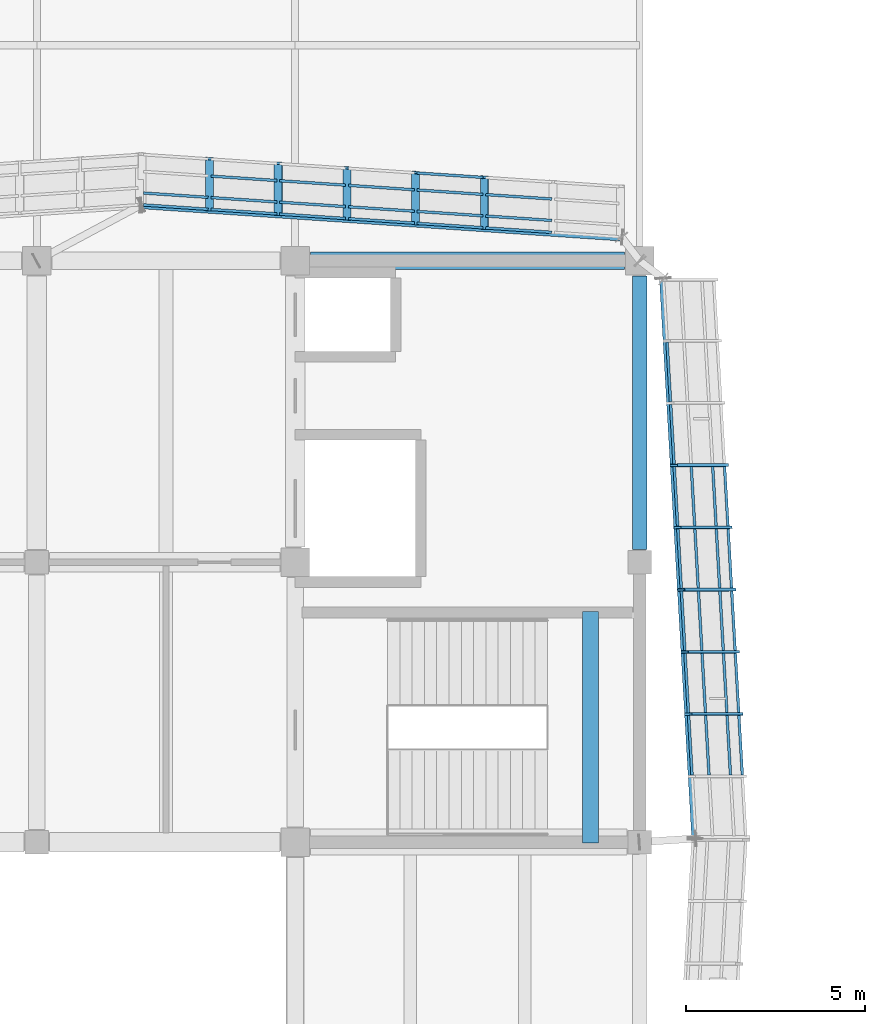
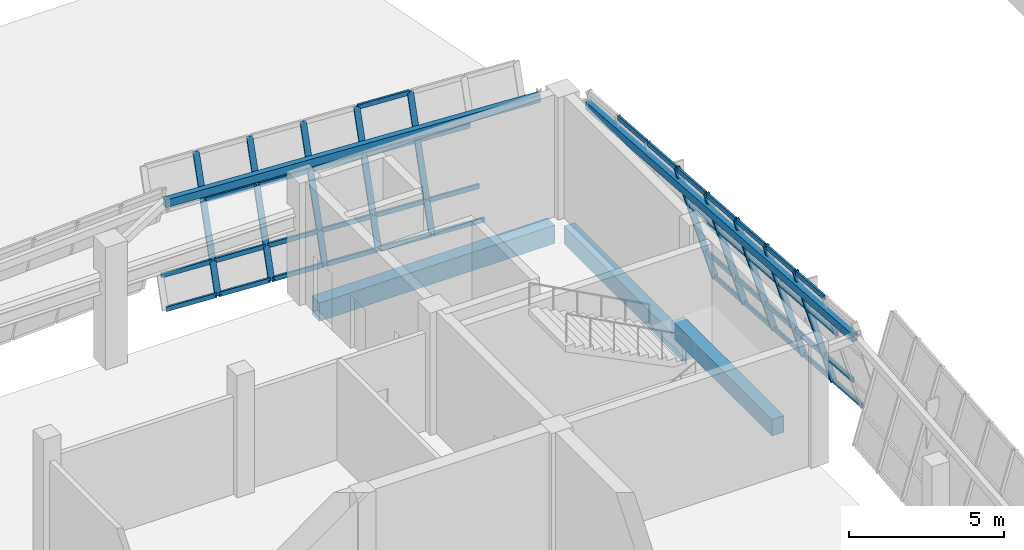
# One storey, part 30 of 79: 50 members, 5 beams, 2 elements without a shape of their own.
"""IFC4 building model written with IfcOpenShell, lengths in metres."""

from ifc_helpers import new_model, si_unit, direction, frame, origin, origin_2d, place, context, subcontext, project, spatial, rectangle, hollow_rectangle, extrude, material, material_profile, profile_set, type_object, element, aggregate, save


model = new_model("IFC4")

# Units and contexts
model_context = context("Model", 3, precision=1e-05, world=origin(), true_north=direction((0.0, 1.0)))
body_context = subcontext(model_context, "Body", "Model", "MODEL_VIEW")
ifc_project = project(units=[si_unit("LENGTHUNIT", "METRE"), si_unit("AREAUNIT", "SQUARE_METRE"), si_unit("VOLUMEUNIT", "CUBIC_METRE"), si_unit("PLANEANGLEUNIT", "RADIAN"), si_unit("MASSUNIT", "GRAM", prefix="KILO")], contexts=[model_context])

# Site, building, storey
site_placement = place(None, origin())
site = spatial("IfcSite", under=ifc_project, at=site_placement, CompositionType="ELEMENT")
building_placement = place(site_placement, origin())
building = spatial("IfcBuilding", under=site, at=building_placement, Name="Pellamere Symphony Hall", CompositionType="ELEMENT")
storey_placement = place(building_placement, frame((0.0, 0.0, 10.199951171875)))
storey = spatial("IfcBuildingStorey", under=building, at=storey_placement, Name="L02", CompositionType="ELEMENT", Elevation=10.199951171875)

# Curtain wall, members
ifc_material_1 = material(Name="Thermally Broken Anodised Aluminium 6063-T6 Curtain Wall", Category="aluminium")
curtain_wall_type = type_object("IfcCurtainWallType", Name="Curtain Wall CW-01 (Tilted Faceted Crystal Low-Iron Curtain Wall)", PredefinedType="NOTDEFINED", material=ifc_material_1)
curtain_wall_1_placement = place(storey_placement, origin())
curtain_wall_1 = element("IfcCurtainWall", 1, at=curtain_wall_1_placement, inside=storey, type_object=curtain_wall_type, Name="Crystal Faceted Curtain Wall CW-CR09 (L02)", PredefinedType="NOTDEFINED")
ifc_material_2 = material(Name="Anodised Architectural Aluminium 6063-T6", Category="aluminium")
ifc_material_profile_1 = material_profile(ifc_material_2, hollow_rectangle(XDim=0.074951171875, YDim=0.219970703125, WallThickness=0.0048828125, at=origin_2d()), Name="ALU-M75X220X5")
ifc_profile_set_1 = profile_set([ifc_material_profile_1], Name="Anodised Architectural Aluminium 6063-T6")
member_type_1 = type_object("IfcMemberType", Name="Curtain Wall Mullion ML-01 ALU-M75X220X5", PredefinedType="MULLION", material=ifc_profile_set_1)
member_1_placement = place(storey_placement, frame((121.57177734375, 80.966552734375, 0.0), z_axis=(-0.284021911736, 0.0, 0.9588177896), x_axis=(-0.055224582463, 0.998339941676, -0.016358678005)))
member_1 = element("IfcMember", 2, at=member_1_placement, type_object=member_type_1, Name="CW1-019 crystal mullion 3", PredefinedType="MULLION", context=body_context, shape_type="SweptSolid", body=[
    extrude(hollow_rectangle(XDim=0.074951171875, YDim=0.219970703125, WallThickness=0.0048828125, at=origin_2d()), origin(), (0.0, 0.0, 1.0), 5.006103515625),
])
member_2_placement = place(storey_placement, frame((121.4716796875, 82.699951171875, 0.0), z_axis=(-0.283977077304, 0.0, 0.958831069358), x_axis=(-0.055225347331, 0.998339941676, -0.016356095697)))
member_2 = element("IfcMember", 3, at=member_2_placement, type_object=member_type_1, Name="CW1-019 crystal mullion 4", PredefinedType="MULLION", context=body_context, shape_type="SweptSolid", body=[
    extrude(hollow_rectangle(XDim=0.074951171875, YDim=0.219970703125, WallThickness=0.0048828125, at=origin_2d()), origin(), (0.0, 0.0, 1.0), 5.006103515625),
])
member_3_placement = place(storey_placement, frame((121.371826171875, 84.433349609375, 0.0), z_axis=(-0.284021911736, 0.0, 0.9588177896), x_axis=(-0.055224582463, 0.998339941676, -0.016358678005)))
member_3 = element("IfcMember", 4, at=member_3_placement, type_object=member_type_1, Name="CW1-019 crystal mullion 5", PredefinedType="MULLION", context=body_context, shape_type="SweptSolid", body=[
    extrude(hollow_rectangle(XDim=0.074951171875, YDim=0.219970703125, WallThickness=0.0048828125, at=origin_2d()), origin(), (0.0, 0.0, 1.0), 5.006103515625),
])
member_4_placement = place(storey_placement, frame((121.271728515625, 86.166748046875, 0.0), z_axis=(-0.283977077304, 0.0, 0.958831069358), x_axis=(-0.055225347331, 0.998339941676, -0.016356095697)))
member_4 = element("IfcMember", 5, at=member_4_placement, type_object=member_type_1, Name="CW1-019 crystal mullion 6", PredefinedType="MULLION", context=body_context, shape_type="SweptSolid", body=[
    extrude(hollow_rectangle(XDim=0.074951171875, YDim=0.219970703125, WallThickness=0.0048828125, at=origin_2d()), origin(), (0.0, 0.0, 1.0), 5.006103515625),
])
member_5_placement = place(storey_placement, frame((121.171875, 87.89990234375, 0.0), z_axis=(-0.284021911736, 0.0, 0.9588177896), x_axis=(-0.055224582463, 0.998339941676, -0.016358678005)))
member_5 = element("IfcMember", 6, at=member_5_placement, type_object=member_type_1, Name="CW1-019 crystal mullion 7", PredefinedType="MULLION", context=body_context, shape_type="SweptSolid", body=[
    extrude(hollow_rectangle(XDim=0.074951171875, YDim=0.219970703125, WallThickness=0.0048828125, at=origin_2d()), origin(), (0.0, 0.0, 1.0), 5.006103515625),
])

curtain_wall_2_placement = place(storey_placement, origin())
curtain_wall_2 = element("IfcCurtainWall", 7, at=curtain_wall_2_placement, inside=storey, type_object=curtain_wall_type, Name="Crystal Faceted Curtain Wall CW-CR10 (L02)", PredefinedType="NOTDEFINED")
member_6_placement = place(storey_placement, frame((114.471435546875, 94.507080078125, 0.0), z_axis=(0.0, 0.284021911736, 0.9588177896), x_axis=(0.067013200006, 0.956662452506, -0.283383455745)))
member_6 = element("IfcMember", 8, at=member_6_placement, type_object=member_type_1, Name="CW1-022 crystal mullion 3", PredefinedType="MULLION", context=body_context, shape_type="SweptSolid", body=[
    extrude(hollow_rectangle(XDim=0.074951171875, YDim=0.219970703125, WallThickness=0.0048828125, at=origin_2d()), origin(), (0.0, 0.0, 1.0), 5.006103515625),
])
member_7_placement = place(storey_placement, frame((112.55712890625, 94.6357421875, 0.0), z_axis=(0.0, 0.284021911736, 0.9588177896), x_axis=(0.067013200006, 0.956662452506, -0.283383455745)))
member_7 = element("IfcMember", 9, at=member_7_placement, type_object=member_type_1, Name="CW1-022 crystal mullion 4", PredefinedType="MULLION", context=body_context, shape_type="SweptSolid", body=[
    extrude(hollow_rectangle(XDim=0.074951171875, YDim=0.219970703125, WallThickness=0.0048828125, at=origin_2d()), origin(), (0.0, 0.0, 1.0), 5.006103515625),
])
member_8_placement = place(storey_placement, frame((110.642822265625, 94.764404296875, 0.0), z_axis=(0.0, 0.283977077304, 0.958831069358), x_axis=(0.067013200006, 0.956675702412, -0.283338722097)))
member_8 = element("IfcMember", 10, at=member_8_placement, type_object=member_type_1, Name="CW1-022 crystal mullion 5", PredefinedType="MULLION", context=body_context, shape_type="SweptSolid", body=[
    extrude(hollow_rectangle(XDim=0.074951171875, YDim=0.219970703125, WallThickness=0.0048828125, at=origin_2d()), origin(), (0.0, 0.0, 1.0), 5.006103515625),
])
member_9_placement = place(storey_placement, frame((108.728515625, 94.892822265625, 0.0), z_axis=(0.0, 0.284021911736, 0.9588177896), x_axis=(0.067013200006, 0.956662452506, -0.283383455745)))
member_9 = element("IfcMember", 11, at=member_9_placement, type_object=member_type_1, Name="CW1-022 crystal mullion 6", PredefinedType="MULLION", context=body_context, shape_type="SweptSolid", body=[
    extrude(hollow_rectangle(XDim=0.074951171875, YDim=0.219970703125, WallThickness=0.0048828125, at=origin_2d()), origin(), (0.0, 0.0, 1.0), 5.006103515625),
])
member_10_placement = place(storey_placement, frame((106.814208984375, 95.021484375, 0.0), z_axis=(0.0, 0.283977077304, 0.958831069358), x_axis=(0.067013200006, 0.956675702412, -0.283338722097)))
member_10 = element("IfcMember", 12, at=member_10_placement, type_object=member_type_1, Name="CW1-022 crystal mullion 7", PredefinedType="MULLION", context=body_context, shape_type="SweptSolid", body=[
    extrude(hollow_rectangle(XDim=0.074951171875, YDim=0.219970703125, WallThickness=0.0048828125, at=origin_2d()), origin(), (0.0, 0.0, 1.0), 5.006103515625),
])

# Member
ifc_material_profile_2 = material_profile(ifc_material_2, hollow_rectangle(XDim=0.074951171875, YDim=0.179931640625, WallThickness=0.0048828125, at=origin_2d()), Name="ALU-T75X180X5")
ifc_profile_set_2 = profile_set([ifc_material_profile_2], Name="Anodised Architectural Aluminium 6063-T6")
member_type_2 = type_object("IfcMemberType", Name="Curtain Wall Transom TR-01 ALU-T75X180X5", PredefinedType="USERDEFINED", material=ifc_profile_set_2)
member_11_placement = place(storey_placement, frame((121.658935546875, 79.270751953125, 0.035888671875), z_axis=(-0.057610619545, 0.998339129012, 0.0), x_axis=(-0.998339129012, -0.057610619545, 0.0)))
member_11 = element("IfcMember", 13, at=member_11_placement, type_object=member_type_2, Name="CW1-019 crystal transom 2.1", ObjectType="TRANSOM", PredefinedType="USERDEFINED", context=body_context, shape_type="SweptSolid", body=[
    extrude(hollow_rectangle(XDim=0.074951171875, YDim=0.179931640625, WallThickness=0.0048828125, at=origin_2d()), origin(), (0.0, 0.0, 1.0), 1.6611328125),
])

member_12_placement = place(storey_placement, frame((121.328369140625, 79.270751953125, 1.152099609375), z_axis=(-0.057610619545, 0.998339129012, 0.0), x_axis=(-0.998339129012, -0.057610619545, 0.0)))
member_12 = element("IfcMember", 14, at=member_12_placement, type_object=member_type_2, Name="CW1-019 crystal transom 2.2", ObjectType="TRANSOM", PredefinedType="USERDEFINED", context=body_context, shape_type="SweptSolid", body=[
    extrude(hollow_rectangle(XDim=0.074951171875, YDim=0.179931640625, WallThickness=0.0048828125, at=origin_2d()), origin(), (0.0, 0.0, 1.0), 1.6611328125),
])

member_13_placement = place(storey_placement, frame((120.731201171875, 79.270751953125, 3.16796875), z_axis=(-0.057610619545, 0.998339129012, 0.0), x_axis=(-0.998339129012, -0.057610619545, 0.0)))
member_13 = element("IfcMember", 15, at=member_13_placement, type_object=member_type_2, Name="CW1-019 crystal transom 2.3", ObjectType="TRANSOM", PredefinedType="USERDEFINED", context=body_context, shape_type="SweptSolid", body=[
    extrude(hollow_rectangle(XDim=0.074951171875, YDim=0.179931640625, WallThickness=0.0048828125, at=origin_2d()), origin(), (0.0, 0.0, 1.0), 1.6611328125),
])

member_14_placement = place(storey_placement, frame((120.258544921875, 79.270751953125, 4.76416015625), z_axis=(-0.057610619545, 0.998339129012, 0.0), x_axis=(-0.998339129012, -0.057610619545, 0.0)))
member_14 = element("IfcMember", 16, at=member_14_placement, type_object=member_type_2, Name="CW1-019 crystal transom 2.4", ObjectType="TRANSOM", PredefinedType="USERDEFINED", context=body_context, shape_type="SweptSolid", body=[
    extrude(hollow_rectangle(XDim=0.074951171875, YDim=0.179931640625, WallThickness=0.0048828125, at=origin_2d()), origin(), (0.0, 0.0, 1.0), 1.6611328125),
])

member_15_placement = place(storey_placement, frame((121.55908203125, 81.004150390625, 0.035888671875), z_axis=(-0.057610619545, 0.998339129012, 0.0), x_axis=(-0.998339129012, -0.057610619545, 0.0)))
member_15 = element("IfcMember", 17, at=member_15_placement, type_object=member_type_2, Name="CW1-019 crystal transom 3.1", ObjectType="TRANSOM", PredefinedType="USERDEFINED", context=body_context, shape_type="SweptSolid", body=[
    extrude(hollow_rectangle(XDim=0.074951171875, YDim=0.179931640625, WallThickness=0.0048828125, at=origin_2d()), origin(), (0.0, 0.0, 1.0), 1.6611328125),
])

member_16_placement = place(storey_placement, frame((121.228515625, 81.004150390625, 1.152099609375), z_axis=(-0.057610619545, 0.998339129012, 0.0), x_axis=(-0.998339129012, -0.057610619545, 0.0)))
member_16 = element("IfcMember", 18, at=member_16_placement, type_object=member_type_2, Name="CW1-019 crystal transom 3.2", ObjectType="TRANSOM", PredefinedType="USERDEFINED", context=body_context, shape_type="SweptSolid", body=[
    extrude(hollow_rectangle(XDim=0.074951171875, YDim=0.179931640625, WallThickness=0.0048828125, at=origin_2d()), origin(), (0.0, 0.0, 1.0), 1.6611328125),
])

member_17_placement = place(storey_placement, frame((120.63134765625, 81.004150390625, 3.16796875), z_axis=(-0.057610619545, 0.998339129012, 0.0), x_axis=(-0.998339129012, -0.057610619545, 0.0)))
member_17 = element("IfcMember", 19, at=member_17_placement, type_object=member_type_2, Name="CW1-019 crystal transom 3.3", ObjectType="TRANSOM", PredefinedType="USERDEFINED", context=body_context, shape_type="SweptSolid", body=[
    extrude(hollow_rectangle(XDim=0.074951171875, YDim=0.179931640625, WallThickness=0.0048828125, at=origin_2d()), origin(), (0.0, 0.0, 1.0), 1.6611328125),
])

member_18_placement = place(storey_placement, frame((120.158447265625, 81.004150390625, 4.76416015625), z_axis=(-0.057610619545, 0.998339129012, 0.0), x_axis=(-0.998339129012, -0.057610619545, 0.0)))
member_18 = element("IfcMember", 20, at=member_18_placement, type_object=member_type_2, Name="CW1-019 crystal transom 3.4", ObjectType="TRANSOM", PredefinedType="USERDEFINED", context=body_context, shape_type="SweptSolid", body=[
    extrude(hollow_rectangle(XDim=0.074951171875, YDim=0.179931640625, WallThickness=0.0048828125, at=origin_2d()), origin(), (0.0, 0.0, 1.0), 1.6611328125),
])

member_19_placement = place(storey_placement, frame((121.458984375, 82.737548828125, 0.035888671875), z_axis=(-0.057610619545, 0.998339129012, 0.0), x_axis=(-0.998339129012, -0.057610619545, 0.0)))
member_19 = element("IfcMember", 21, at=member_19_placement, type_object=member_type_2, Name="CW1-019 crystal transom 4.1", ObjectType="TRANSOM", PredefinedType="USERDEFINED", context=body_context, shape_type="SweptSolid", body=[
    extrude(hollow_rectangle(XDim=0.074951171875, YDim=0.179931640625, WallThickness=0.0048828125, at=origin_2d()), origin(), (0.0, 0.0, 1.0), 1.6611328125),
])

member_20_placement = place(storey_placement, frame((121.12841796875, 82.737548828125, 1.152099609375), z_axis=(-0.057610619545, 0.998339129012, 0.0), x_axis=(-0.998339129012, -0.057610619545, 0.0)))
member_20 = element("IfcMember", 22, at=member_20_placement, type_object=member_type_2, Name="CW1-019 crystal transom 4.2", ObjectType="TRANSOM", PredefinedType="USERDEFINED", context=body_context, shape_type="SweptSolid", body=[
    extrude(hollow_rectangle(XDim=0.074951171875, YDim=0.179931640625, WallThickness=0.0048828125, at=origin_2d()), origin(), (0.0, 0.0, 1.0), 1.6611328125),
])

member_21_placement = place(storey_placement, frame((120.53125, 82.737548828125, 3.16796875), z_axis=(-0.057610619545, 0.998339129012, 0.0), x_axis=(-0.998339129012, -0.057610619545, 0.0)))
member_21 = element("IfcMember", 23, at=member_21_placement, type_object=member_type_2, Name="CW1-019 crystal transom 4.3", ObjectType="TRANSOM", PredefinedType="USERDEFINED", context=body_context, shape_type="SweptSolid", body=[
    extrude(hollow_rectangle(XDim=0.074951171875, YDim=0.179931640625, WallThickness=0.0048828125, at=origin_2d()), origin(), (0.0, 0.0, 1.0), 1.6611328125),
])

member_22_placement = place(storey_placement, frame((120.05859375, 82.737548828125, 4.76416015625), z_axis=(-0.057610619545, 0.998339129012, 0.0), x_axis=(-0.998339129012, -0.057610619545, 0.0)))
member_22 = element("IfcMember", 24, at=member_22_placement, type_object=member_type_2, Name="CW1-019 crystal transom 4.4", ObjectType="TRANSOM", PredefinedType="USERDEFINED", context=body_context, shape_type="SweptSolid", body=[
    extrude(hollow_rectangle(XDim=0.074951171875, YDim=0.179931640625, WallThickness=0.0048828125, at=origin_2d()), origin(), (0.0, 0.0, 1.0), 1.6611328125),
])

member_23_placement = place(storey_placement, frame((121.35888671875, 84.470703125, 0.035888671875), z_axis=(-0.057464139598, 0.998347571069, 0.0), x_axis=(-0.998347571069, -0.057464139598, 0.0)))
member_23 = element("IfcMember", 25, at=member_23_placement, type_object=member_type_2, Name="CW1-019 crystal transom 5.1", ObjectType="TRANSOM", PredefinedType="USERDEFINED", context=body_context, shape_type="SweptSolid", body=[
    extrude(hollow_rectangle(XDim=0.074951171875, YDim=0.179931640625, WallThickness=0.0048828125, at=origin_2d()), origin(), (0.0, 0.0, 1.0), 1.6611328125),
])

member_24_placement = place(storey_placement, frame((121.0283203125, 84.470703125, 1.152099609375), z_axis=(-0.057610619545, 0.998339129012, 0.0), x_axis=(-0.998339129012, -0.057610619545, 0.0)))
member_24 = element("IfcMember", 26, at=member_24_placement, type_object=member_type_2, Name="CW1-019 crystal transom 5.2", ObjectType="TRANSOM", PredefinedType="USERDEFINED", context=body_context, shape_type="SweptSolid", body=[
    extrude(hollow_rectangle(XDim=0.074951171875, YDim=0.179931640625, WallThickness=0.0048828125, at=origin_2d()), origin(), (0.0, 0.0, 1.0), 1.6611328125),
])

member_25_placement = place(storey_placement, frame((120.43115234375, 84.470703125, 3.16796875), z_axis=(-0.057464139598, 0.998347571069, 0.0), x_axis=(-0.998347571069, -0.057464139598, 0.0)))
member_25 = element("IfcMember", 27, at=member_25_placement, type_object=member_type_2, Name="CW1-019 crystal transom 5.3", ObjectType="TRANSOM", PredefinedType="USERDEFINED", context=body_context, shape_type="SweptSolid", body=[
    extrude(hollow_rectangle(XDim=0.074951171875, YDim=0.179931640625, WallThickness=0.0048828125, at=origin_2d()), origin(), (0.0, 0.0, 1.0), 1.6611328125),
])

member_26_placement = place(storey_placement, frame((119.95849609375, 84.470703125, 4.76416015625), z_axis=(-0.057610619545, 0.998339129012, 0.0), x_axis=(-0.998339129012, -0.057610619545, 0.0)))
member_26 = element("IfcMember", 28, at=member_26_placement, type_object=member_type_2, Name="CW1-019 crystal transom 5.4", ObjectType="TRANSOM", PredefinedType="USERDEFINED", context=body_context, shape_type="SweptSolid", body=[
    extrude(hollow_rectangle(XDim=0.074951171875, YDim=0.179931640625, WallThickness=0.0048828125, at=origin_2d()), origin(), (0.0, 0.0, 1.0), 1.6611328125),
])

member_27_placement = place(storey_placement, frame((121.259033203125, 86.2041015625, 0.035888671875), z_axis=(-0.057610619545, 0.998339129012, 0.0), x_axis=(-0.998339129012, -0.057610619545, 0.0)))
member_27 = element("IfcMember", 29, at=member_27_placement, type_object=member_type_2, Name="CW1-019 crystal transom 6.1", ObjectType="TRANSOM", PredefinedType="USERDEFINED", context=body_context, shape_type="SweptSolid", body=[
    extrude(hollow_rectangle(XDim=0.074951171875, YDim=0.179931640625, WallThickness=0.0048828125, at=origin_2d()), origin(), (0.0, 0.0, 1.0), 1.6611328125),
])

member_28_placement = place(storey_placement, frame((120.928466796875, 86.2041015625, 1.152099609375), z_axis=(-0.057610619545, 0.998339129012, 0.0), x_axis=(-0.998339129012, -0.057610619545, 0.0)))
member_28 = element("IfcMember", 30, at=member_28_placement, type_object=member_type_2, Name="CW1-019 crystal transom 6.2", ObjectType="TRANSOM", PredefinedType="USERDEFINED", context=body_context, shape_type="SweptSolid", body=[
    extrude(hollow_rectangle(XDim=0.074951171875, YDim=0.179931640625, WallThickness=0.0048828125, at=origin_2d()), origin(), (0.0, 0.0, 1.0), 1.6611328125),
])

member_29_placement = place(storey_placement, frame((120.331298828125, 86.2041015625, 3.16796875), z_axis=(-0.057610619545, 0.998339129012, 0.0), x_axis=(-0.998339129012, -0.057610619545, 0.0)))
member_29 = element("IfcMember", 31, at=member_29_placement, type_object=member_type_2, Name="CW1-019 crystal transom 6.3", ObjectType="TRANSOM", PredefinedType="USERDEFINED", context=body_context, shape_type="SweptSolid", body=[
    extrude(hollow_rectangle(XDim=0.074951171875, YDim=0.179931640625, WallThickness=0.0048828125, at=origin_2d()), origin(), (0.0, 0.0, 1.0), 1.6611328125),
])

member_30_placement = place(storey_placement, frame((119.8583984375, 86.2041015625, 4.76416015625), z_axis=(-0.057610619545, 0.998339129012, 0.0), x_axis=(-0.998339129012, -0.057610619545, 0.0)))
member_30 = element("IfcMember", 32, at=member_30_placement, type_object=member_type_2, Name="CW1-019 crystal transom 6.4", ObjectType="TRANSOM", PredefinedType="USERDEFINED", context=body_context, shape_type="SweptSolid", body=[
    extrude(hollow_rectangle(XDim=0.074951171875, YDim=0.179931640625, WallThickness=0.0048828125, at=origin_2d()), origin(), (0.0, 0.0, 1.0), 1.6611328125),
])

member_31_placement = place(storey_placement, frame((119.758544921875, 87.9375, 4.76416015625), z_axis=(-0.057610619545, 0.998339129012, 0.0), x_axis=(-0.998339129012, -0.057610619545, 0.0)))
member_31 = element("IfcMember", 33, at=member_31_placement, type_object=member_type_2, Name="CW1-019 crystal transom 7.4", ObjectType="TRANSOM", PredefinedType="USERDEFINED", context=body_context, shape_type="SweptSolid", body=[
    extrude(hollow_rectangle(XDim=0.074951171875, YDim=0.179931640625, WallThickness=0.0048828125, at=origin_2d()), origin(), (0.0, 0.0, 1.0), 1.6611328125),
])

member_32_placement = place(storey_placement, frame((119.658447265625, 89.670654296875, 4.76416015625), z_axis=(-0.057602168051, 0.998339616682, 0.0), x_axis=(-0.998339616682, -0.057602168051, 0.0)))
member_32 = element("IfcMember", 34, at=member_32_placement, type_object=member_type_2, Name="CW1-019 crystal transom 8.4", ObjectType="TRANSOM", PredefinedType="USERDEFINED", context=body_context, shape_type="SweptSolid", body=[
    extrude(hollow_rectangle(XDim=0.074951171875, YDim=0.179931640625, WallThickness=0.0048828125, at=origin_2d()), origin(), (0.0, 0.0, 1.0), 1.661376953125),
])

aggregate(curtain_wall_1, [member_1, member_2, member_3, member_4, member_5, member_11, member_12, member_13, member_14, member_15, member_16, member_17, member_18, member_19, member_20, member_21, member_22, member_23, member_24, member_25, member_26, member_27, member_28, member_29, member_30, member_31, member_32])

member_33_placement = place(storey_placement, frame((116.348388671875, 94.391845703125, 0.035888671875), z_axis=(-0.997752815695, 0.067002378864, 0.0), x_axis=(-0.067002378864, -0.997752815695, 0.0)))
member_33 = element("IfcMember", 35, at=member_33_placement, type_object=member_type_2, Name="CW1-022 crystal transom 2.1", ObjectType="TRANSOM", PredefinedType="USERDEFINED", context=body_context, shape_type="SweptSolid", body=[
    extrude(hollow_rectangle(XDim=0.074951171875, YDim=0.179931640625, WallThickness=0.0048828125, at=origin_2d()), origin(), (0.0, 0.0, 1.0), 1.84375),
])

member_34_placement = place(storey_placement, frame((116.348388671875, 94.722412109375, 1.152099609375), z_axis=(-0.997752815695, 0.067002378864, 0.0), x_axis=(-0.067002378864, -0.997752815695, 0.0)))
member_34 = element("IfcMember", 36, at=member_34_placement, type_object=member_type_2, Name="CW1-022 crystal transom 2.2", ObjectType="TRANSOM", PredefinedType="USERDEFINED", context=body_context, shape_type="SweptSolid", body=[
    extrude(hollow_rectangle(XDim=0.074951171875, YDim=0.179931640625, WallThickness=0.0048828125, at=origin_2d()), origin(), (0.0, 0.0, 1.0), 1.84375),
])

member_35_placement = place(storey_placement, frame((116.348388671875, 95.319580078125, 3.16796875), z_axis=(-0.997752815695, 0.067002378864, 0.0), x_axis=(-0.067002378864, -0.997752815695, 0.0)))
member_35 = element("IfcMember", 37, at=member_35_placement, type_object=member_type_2, Name="CW1-022 crystal transom 2.3", ObjectType="TRANSOM", PredefinedType="USERDEFINED", context=body_context, shape_type="SweptSolid", body=[
    extrude(hollow_rectangle(XDim=0.074951171875, YDim=0.179931640625, WallThickness=0.0048828125, at=origin_2d()), origin(), (0.0, 0.0, 1.0), 1.84375),
])

member_36_placement = place(storey_placement, frame((114.43408203125, 94.520263671875, 0.035888671875), z_axis=(-0.997752815695, 0.067002378864, 0.0), x_axis=(-0.067002378864, -0.997752815695, 0.0)))
member_36 = element("IfcMember", 38, at=member_36_placement, type_object=member_type_2, Name="CW1-022 crystal transom 3.1", ObjectType="TRANSOM", PredefinedType="USERDEFINED", context=body_context, shape_type="SweptSolid", body=[
    extrude(hollow_rectangle(XDim=0.074951171875, YDim=0.179931640625, WallThickness=0.0048828125, at=origin_2d()), origin(), (0.0, 0.0, 1.0), 1.84375),
])

member_37_placement = place(storey_placement, frame((114.43408203125, 94.850830078125, 1.152099609375), z_axis=(-0.997752815695, 0.067002378864, 0.0), x_axis=(-0.067002378864, -0.997752815695, 0.0)))
member_37 = element("IfcMember", 39, at=member_37_placement, type_object=member_type_2, Name="CW1-022 crystal transom 3.2", ObjectType="TRANSOM", PredefinedType="USERDEFINED", context=body_context, shape_type="SweptSolid", body=[
    extrude(hollow_rectangle(XDim=0.074951171875, YDim=0.179931640625, WallThickness=0.0048828125, at=origin_2d()), origin(), (0.0, 0.0, 1.0), 1.84375),
])

member_38_placement = place(storey_placement, frame((114.43408203125, 95.447998046875, 3.16796875), z_axis=(-0.997752815695, 0.067002378864, 0.0), x_axis=(-0.067002378864, -0.997752815695, 0.0)))
member_38 = element("IfcMember", 40, at=member_38_placement, type_object=member_type_2, Name="CW1-022 crystal transom 3.3", ObjectType="TRANSOM", PredefinedType="USERDEFINED", context=body_context, shape_type="SweptSolid", body=[
    extrude(hollow_rectangle(XDim=0.074951171875, YDim=0.179931640625, WallThickness=0.0048828125, at=origin_2d()), origin(), (0.0, 0.0, 1.0), 1.84375),
])

member_39_placement = place(storey_placement, frame((114.43408203125, 95.9208984375, 4.76416015625), z_axis=(-0.997752815695, 0.067002378864, 0.0), x_axis=(-0.067002378864, -0.997752815695, 0.0)))
member_39 = element("IfcMember", 41, at=member_39_placement, type_object=member_type_2, Name="CW1-022 crystal transom 3.4", ObjectType="TRANSOM", PredefinedType="USERDEFINED", context=body_context, shape_type="SweptSolid", body=[
    extrude(hollow_rectangle(XDim=0.074951171875, YDim=0.179931640625, WallThickness=0.0048828125, at=origin_2d()), origin(), (0.0, 0.0, 1.0), 1.84375),
])

member_40_placement = place(storey_placement, frame((112.519775390625, 94.64892578125, 0.035888671875), z_axis=(-0.997752815695, 0.067002378864, 0.0), x_axis=(-0.067002378864, -0.997752815695, 0.0)))
member_40 = element("IfcMember", 42, at=member_40_placement, type_object=member_type_2, Name="CW1-022 crystal transom 4.1", ObjectType="TRANSOM", PredefinedType="USERDEFINED", context=body_context, shape_type="SweptSolid", body=[
    extrude(hollow_rectangle(XDim=0.074951171875, YDim=0.179931640625, WallThickness=0.0048828125, at=origin_2d()), origin(), (0.0, 0.0, 1.0), 1.84375),
])

member_41_placement = place(storey_placement, frame((112.519775390625, 94.9794921875, 1.152099609375), z_axis=(-0.997752815695, 0.067002378864, 0.0), x_axis=(-0.067002378864, -0.997752815695, 0.0)))
member_41 = element("IfcMember", 43, at=member_41_placement, type_object=member_type_2, Name="CW1-022 crystal transom 4.2", ObjectType="TRANSOM", PredefinedType="USERDEFINED", context=body_context, shape_type="SweptSolid", body=[
    extrude(hollow_rectangle(XDim=0.074951171875, YDim=0.179931640625, WallThickness=0.0048828125, at=origin_2d()), origin(), (0.0, 0.0, 1.0), 1.84375),
])

member_42_placement = place(storey_placement, frame((112.519775390625, 95.57666015625, 3.16796875), z_axis=(-0.997752815695, 0.067002378864, 0.0), x_axis=(-0.067002378864, -0.997752815695, 0.0)))
member_42 = element("IfcMember", 44, at=member_42_placement, type_object=member_type_2, Name="CW1-022 crystal transom 4.3", ObjectType="TRANSOM", PredefinedType="USERDEFINED", context=body_context, shape_type="SweptSolid", body=[
    extrude(hollow_rectangle(XDim=0.074951171875, YDim=0.179931640625, WallThickness=0.0048828125, at=origin_2d()), origin(), (0.0, 0.0, 1.0), 1.84375),
])

member_43_placement = place(storey_placement, frame((110.60546875, 94.77734375, 0.035888671875), z_axis=(-0.997752815695, 0.067002378864, 0.0), x_axis=(-0.067002378864, -0.997752815695, 0.0)))
member_43 = element("IfcMember", 45, at=member_43_placement, type_object=member_type_2, Name="CW1-022 crystal transom 5.1", ObjectType="TRANSOM", PredefinedType="USERDEFINED", context=body_context, shape_type="SweptSolid", body=[
    extrude(hollow_rectangle(XDim=0.074951171875, YDim=0.179931640625, WallThickness=0.0048828125, at=origin_2d()), origin(), (0.0, 0.0, 1.0), 1.84375),
])

member_44_placement = place(storey_placement, frame((110.60546875, 95.10791015625, 1.152099609375), z_axis=(-0.997743954831, 0.067134198421, 0.0), x_axis=(-0.067134198421, -0.997743954831, 0.0)))
member_44 = element("IfcMember", 46, at=member_44_placement, type_object=member_type_2, Name="CW1-022 crystal transom 5.2", ObjectType="TRANSOM", PredefinedType="USERDEFINED", context=body_context, shape_type="SweptSolid", body=[
    extrude(hollow_rectangle(XDim=0.074951171875, YDim=0.179931640625, WallThickness=0.0048828125, at=origin_2d()), origin(), (0.0, 0.0, 1.0), 1.84375),
])

member_45_placement = place(storey_placement, frame((110.60546875, 95.705078125, 3.16796875), z_axis=(-0.997752815695, 0.067002378864, 0.0), x_axis=(-0.067002378864, -0.997752815695, 0.0)))
member_45 = element("IfcMember", 47, at=member_45_placement, type_object=member_type_2, Name="CW1-022 crystal transom 5.3", ObjectType="TRANSOM", PredefinedType="USERDEFINED", context=body_context, shape_type="SweptSolid", body=[
    extrude(hollow_rectangle(XDim=0.074951171875, YDim=0.179931640625, WallThickness=0.0048828125, at=origin_2d()), origin(), (0.0, 0.0, 1.0), 1.84375),
])

member_46_placement = place(storey_placement, frame((108.691162109375, 94.906005859375, 0.035888671875), z_axis=(-0.99775222112, 0.067011232265, 0.0), x_axis=(-0.067011232265, -0.99775222112, 0.0)))
member_46 = element("IfcMember", 48, at=member_46_placement, type_object=member_type_2, Name="CW1-022 crystal transom 6.1", ObjectType="TRANSOM", PredefinedType="USERDEFINED", context=body_context, shape_type="SweptSolid", body=[
    extrude(hollow_rectangle(XDim=0.074951171875, YDim=0.179931640625, WallThickness=0.0048828125, at=origin_2d()), origin(), (0.0, 0.0, 1.0), 1.843505859375),
])

member_47_placement = place(storey_placement, frame((108.691162109375, 95.236572265625, 1.152099609375), z_axis=(-0.99775222112, 0.067011232265, 0.0), x_axis=(-0.067011232265, -0.99775222112, 0.0)))
member_47 = element("IfcMember", 49, at=member_47_placement, type_object=member_type_2, Name="CW1-022 crystal transom 6.2", ObjectType="TRANSOM", PredefinedType="USERDEFINED", context=body_context, shape_type="SweptSolid", body=[
    extrude(hollow_rectangle(XDim=0.074951171875, YDim=0.179931640625, WallThickness=0.0048828125, at=origin_2d()), origin(), (0.0, 0.0, 1.0), 1.843505859375),
])

member_48_placement = place(storey_placement, frame((108.691162109375, 95.833740234375, 3.16796875), z_axis=(-0.99775222112, 0.067011232265, 0.0), x_axis=(-0.067011232265, -0.99775222112, 0.0)))
member_48 = element("IfcMember", 50, at=member_48_placement, type_object=member_type_2, Name="CW1-022 crystal transom 6.3", ObjectType="TRANSOM", PredefinedType="USERDEFINED", context=body_context, shape_type="SweptSolid", body=[
    extrude(hollow_rectangle(XDim=0.074951171875, YDim=0.179931640625, WallThickness=0.0048828125, at=origin_2d()), origin(), (0.0, 0.0, 1.0), 1.843505859375),
])

member_49_placement = place(storey_placement, frame((106.77685546875, 95.03466796875, 0.035888671875), z_axis=(-0.997758761658, 0.066913776862, 0.0), x_axis=(-0.066913776862, -0.997758761658, 0.0)))
member_49 = element("IfcMember", 51, at=member_49_placement, type_object=member_type_2, Name="CW1-022 crystal transom 7.1", ObjectType="TRANSOM", PredefinedType="USERDEFINED", context=body_context, shape_type="SweptSolid", body=[
    extrude(hollow_rectangle(XDim=0.074951171875, YDim=0.179931640625, WallThickness=0.0048828125, at=origin_2d()), origin(), (0.0, 0.0, 1.0), 1.80615234375),
])

member_50_placement = place(storey_placement, frame((106.77685546875, 95.365234375, 1.152099609375), z_axis=(-0.997758761658, 0.066913776862, 0.0), x_axis=(-0.066913776862, -0.997758761658, 0.0)))
member_50 = element("IfcMember", 52, at=member_50_placement, type_object=member_type_2, Name="CW1-022 crystal transom 7.2", ObjectType="TRANSOM", PredefinedType="USERDEFINED", context=body_context, shape_type="SweptSolid", body=[
    extrude(hollow_rectangle(XDim=0.074951171875, YDim=0.179931640625, WallThickness=0.0048828125, at=origin_2d()), origin(), (0.0, 0.0, 1.0), 1.80615234375),
])

aggregate(curtain_wall_2, [member_6, member_7, member_8, member_9, member_10, member_33, member_34, member_35, member_36, member_37, member_38, member_39, member_40, member_41, member_42, member_43, member_44, member_45, member_46, member_47, member_48, member_49, member_50])

# Beams
ifc_material_3 = material(Name="Concrete 40 MPa", Category="concrete")
ifc_material_profile_3 = material_profile(ifc_material_3, rectangle(XDim=0.449951171875, YDim=0.64990234375, at=origin_2d()), Name="RC 450x650")
ifc_profile_set_3 = profile_set([ifc_material_profile_3], Name="Concrete 40 MPa")
beam_type_1 = type_object("IfcBeamType", Name="RC CB-08 450x650", PredefinedType="BEAM", material=ifc_profile_set_3)
beam_1_placement = place(storey_placement, frame((117.4326171875, 77.3798828125, 1.85498046875), z_axis=(0.0, 1.0, 0.0), x_axis=(-1.0, 0.0, 0.0)))
element("IfcBeam", 53, at=beam_1_placement, inside=storey, type_object=beam_type_1, Name="Stair ST04-L02 Half Landing Support Beam (L02)", PredefinedType="BEAM", context=body_context, shape_type="SweptSolid", body=[
    extrude(rectangle(XDim=0.449951171875, YDim=0.64990234375, at=origin_2d()), origin(), (0.0, 0.0, 1.0), 6.440185546875),
])
ifc_material_profile_4 = material_profile(ifc_material_3, rectangle(XDim=0.39990234375, YDim=0.699951171875, at=origin_2d()), Name="RC 400x700")
ifc_profile_set_4 = profile_set([ifc_material_profile_4], Name="Concrete 40 MPa")
beam_type_2 = type_object("IfcBeamType", Name="RC CB-13 400x700", PredefinedType="SPANDREL", material=ifc_profile_set_4)
beam_2_placement = place(storey_placement, frame((118.800048828125, 85.550048828125, -0.6298828125), z_axis=(0.0, 1.0, 0.0), x_axis=(-1.0, 0.0, 0.0)))
element("IfcBeam", 54, at=beam_2_placement, inside=storey, type_object=beam_type_2, Name="Girder CB-13-Y1334 (L02)", PredefinedType="SPANDREL", context=body_context, shape_type="SweptSolid", body=[
    extrude(rectangle(XDim=0.39990234375, YDim=0.699951171875, at=origin_2d()), origin(), (0.0, 0.0, 1.0), 7.625),
])
ifc_material_profile_5 = material_profile(ifc_material_3, rectangle(XDim=0.47998046875, YDim=0.719970703125, at=origin_2d()), Name="RC 480x720")
ifc_profile_set_5 = profile_set([ifc_material_profile_5], Name="Concrete 40 MPa")
beam_type_3 = type_object("IfcBeamType", Name="RC CB-14 480x720", PredefinedType="SPANDREL", material=ifc_profile_set_5)
beam_3_placement = place(storey_placement, frame((109.625, 93.60009765625, -0.639892578125), z_axis=(1.0, 0.0, 0.0), x_axis=(0.0, 1.0, 0.0)))
element("IfcBeam", 55, at=beam_3_placement, inside=storey, type_object=beam_type_3, Name="Girder CB-14-X1185 (L02)", PredefinedType="SPANDREL", context=body_context, shape_type="SweptSolid", body=[
    extrude(rectangle(XDim=0.47998046875, YDim=0.719970703125, at=origin_2d()), origin(), (0.0, 0.0, 1.0), 8.75),
])
ifc_material_4 = material(Name="Steel CSA G40.21 350W", Category="steel")
ifc_material_profile_6 = material_profile(ifc_material_4, hollow_rectangle(XDim=0.203125, YDim=0.3046875, WallThickness=0.0126953125, at=origin_2d()), Name="HSS305X203X13")
ifc_profile_set_6 = profile_set([ifc_material_profile_6], Name="Steel CSA G40.21 350W")
beam_type_4 = type_object("IfcBeamType", Name="Steel Spandrel SB-26 HSS305X203X13", PredefinedType="SPANDREL", material=ifc_profile_set_6)
beam_4_placement = place(storey_placement, frame((120.35009765625, 77.5, 4.239990234375), z_axis=(-0.057605519012, 0.998339423332, 0.0), x_axis=(-0.998339423332, -0.057605519012, 0.0)))
element("IfcBeam", 56, at=beam_4_placement, inside=storey, type_object=beam_type_4, Name="Crystal Perimeter Ring Beam CW-CR09 (L02)", PredefinedType="SPANDREL", context=body_context, shape_type="SweptSolid", body=[
    extrude(hollow_rectangle(XDim=0.203125, YDim=0.3046875, WallThickness=0.0126953125, at=origin_2d()), origin(), (0.0, 0.0, 1.0), 15.6259765625),
])
beam_5_placement = place(storey_placement, frame((118.300048828125, 94.25, 4.239990234375), z_axis=(-0.997752624089, 0.067005232066, 0.0), x_axis=(-0.067005232066, -0.997752624089, 0.0)))
element("IfcBeam", 57, at=beam_5_placement, inside=storey, type_object=beam_type_4, Name="Crystal Perimeter Ring Beam CW-CR10 (L02)", PredefinedType="SPANDREL", context=body_context, shape_type="SweptSolid", body=[
    extrude(hollow_rectangle(XDim=0.203125, YDim=0.3046875, WallThickness=0.0126953125, at=origin_2d()), origin(), (0.0, 0.0, 1.0), 13.430419921875),
])

save(model, "model.ifc")
